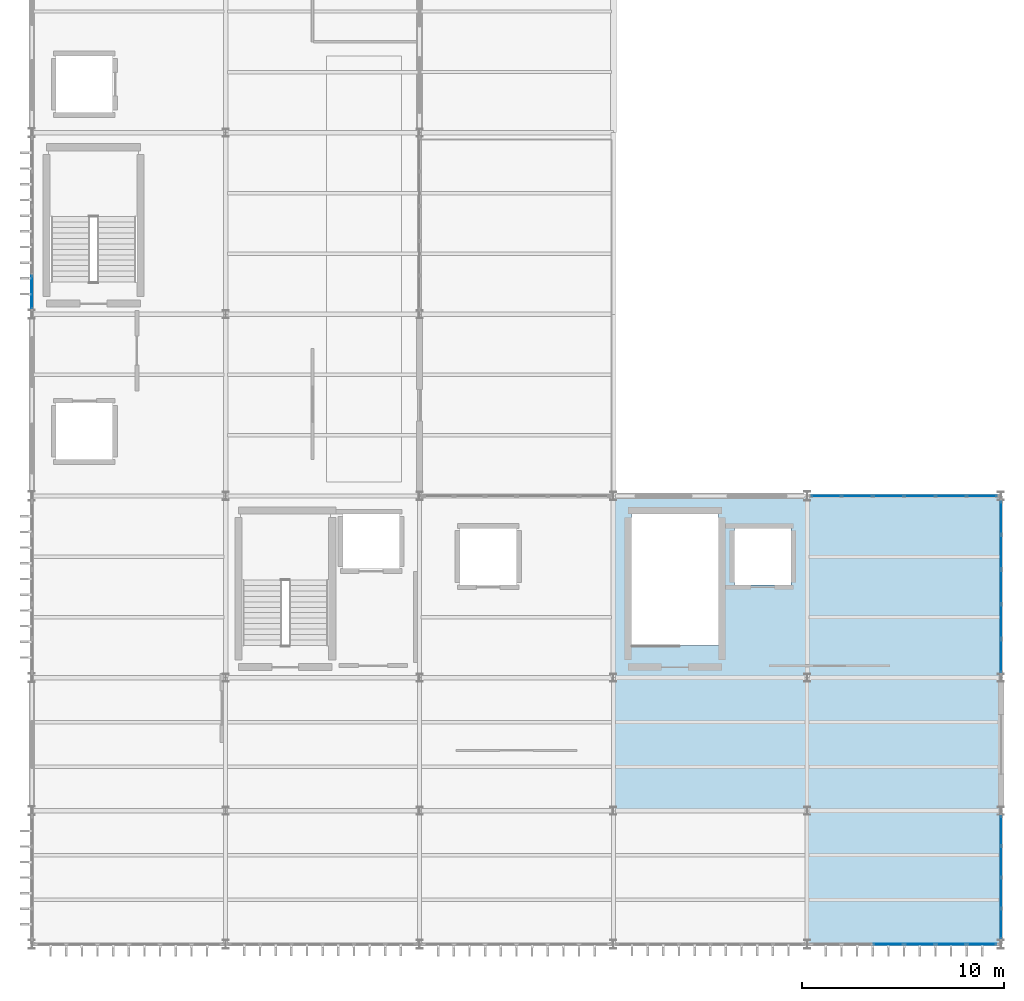
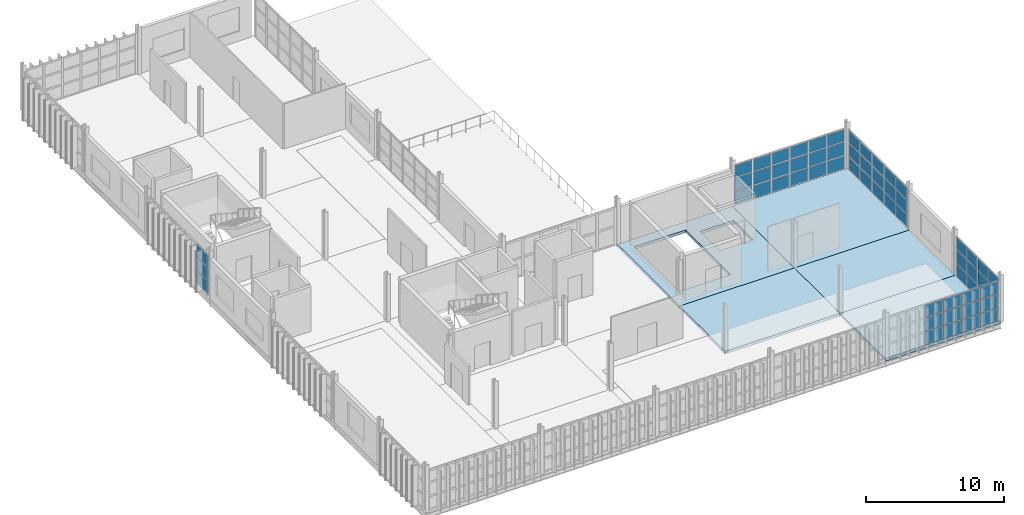
# One storey, part 16 of 38: 60 plates, 5 slabs, 5 elements without a shape of their own.
"""IFC4 building model written with IfcOpenShell, lengths in metres."""

from ifc_helpers import new_model, si_unit, direction, frame, origin, origin_2d, place, context, subcontext, project, spatial, polyline, rectangle, outline, extrude, material, layer, layer_set, type_object, element, aggregate, save


model = new_model("IFC4")

# Units and contexts
model_context = context("Model", 3, precision=1e-05, world=origin(), true_north=direction((0.0, 1.0)))
body_context = subcontext(model_context, "Body", "Model", "MODEL_VIEW")
ifc_project = project(units=[si_unit("LENGTHUNIT", "METRE"), si_unit("AREAUNIT", "SQUARE_METRE"), si_unit("VOLUMEUNIT", "CUBIC_METRE"), si_unit("PLANEANGLEUNIT", "RADIAN"), si_unit("MASSUNIT", "GRAM", prefix="KILO")], contexts=[model_context])

# Site, building, storey
site_placement = place(None, origin())
site = spatial("IfcSite", under=ifc_project, at=site_placement, CompositionType="ELEMENT")
building_placement = place(site_placement, origin())
building = spatial("IfcBuilding", under=site, at=building_placement, Name="Zarnetskaya Central Station", CompositionType="ELEMENT")
storey_placement = place(building_placement, frame((0.0, 0.0, 18.60009765625)))
storey = spatial("IfcBuildingStorey", under=building, at=storey_placement, Name="L04", CompositionType="ELEMENT", Elevation=18.60009765625)

# Curtain wall, plates
ifc_material_1 = material(Name="Low-E insulated glass", Category="glass")
ifc_layer_1 = layer(ifc_material_1, 0.16796875, Name="Low-E insulated glass", Category="glass")
ifc_layer_set_1 = layer_set([ifc_layer_1], Name="Low-E insulated glass")
curtain_wall_type_1 = type_object("IfcCurtainWallType", Name="CW-SYS-08", PredefinedType="USERDEFINED", material=ifc_layer_set_1)
curtain_wall_1_placement = place(storey_placement, origin())
curtain_wall_1 = element("IfcCurtainWall", 1, at=curtain_wall_1_placement, inside=storey, type_object=curtain_wall_type_1, Name="Curtain wall CW-L04-055", ObjectType="CURTAIN WALL", PredefinedType="USERDEFINED")
ifc_layer_2 = layer(ifc_material_1, 0.028076171875, Name="Low-E insulated glass", Category="glass")
ifc_layer_set_2 = layer_set([ifc_layer_2], Name="Low-E insulated glass")
plate_type_1 = type_object("IfcPlateType", Name="CW-PAN-28", PredefinedType="CURTAIN_PANEL", material=ifc_layer_set_2)
plate_1_placement = place(storey_placement, frame((39.342529296875, 22.199951171875, 0.06982421875), z_axis=(0.0, 0.0, 1.0), x_axis=(1.0, 0.0, 0.0)))
plate_1 = element("IfcPlate", 2, at=plate_1_placement, type_object=plate_type_1, Name="CW-16 panel 1.1", PredefinedType="CURTAIN_PANEL", context=body_context, shape_type="SweptSolid", body=[
    extrude(rectangle(XDim=1.445068359375, YDim=0.028076171875, at=origin_2d()), origin(), (0.0, 0.0, 1.0), 1.118896484375),
])
plate_2_placement = place(storey_placement, frame((39.342529296875, 22.199951171875, 1.2587890625), z_axis=(0.0, 0.0, 1.0), x_axis=(1.0, 0.0, 0.0)))
plate_2 = element("IfcPlate", 3, at=plate_2_placement, type_object=plate_type_1, Name="CW-16 panel 1.2", PredefinedType="CURTAIN_PANEL", context=body_context, shape_type="SweptSolid", body=[
    extrude(rectangle(XDim=1.445068359375, YDim=0.028076171875, at=origin_2d()), origin(), (0.0, 0.0, 1.0), 1.154052734375),
])
plate_3_placement = place(storey_placement, frame((39.342529296875, 22.199951171875, 2.48291015625), z_axis=(0.0, 0.0, 1.0), x_axis=(1.0, 0.0, 0.0)))
plate_3 = element("IfcPlate", 4, at=plate_3_placement, type_object=plate_type_1, Name="CW-16 panel 1.3", PredefinedType="CURTAIN_PANEL", context=body_context, shape_type="SweptSolid", body=[
    extrude(rectangle(XDim=1.445068359375, YDim=0.028076171875, at=origin_2d()), origin(), (0.0, 0.0, 1.0), 1.047119140625),
])
plate_4_placement = place(storey_placement, frame((40.875, 22.199951171875, 0.06982421875), z_axis=(0.0, 0.0, 1.0), x_axis=(1.0, 0.0, 0.0)))
plate_4 = element("IfcPlate", 5, at=plate_4_placement, type_object=plate_type_1, Name="CW-16 panel 2.1", PredefinedType="CURTAIN_PANEL", context=body_context, shape_type="SweptSolid", body=[
    extrude(rectangle(XDim=1.47998046875, YDim=0.028076171875, at=origin_2d()), origin(), (0.0, 0.0, 1.0), 1.118896484375),
])
plate_5_placement = place(storey_placement, frame((40.875, 22.199951171875, 1.2587890625), z_axis=(0.0, 0.0, 1.0), x_axis=(1.0, 0.0, 0.0)))
plate_5 = element("IfcPlate", 6, at=plate_5_placement, type_object=plate_type_1, Name="CW-16 panel 2.2", PredefinedType="CURTAIN_PANEL", context=body_context, shape_type="SweptSolid", body=[
    extrude(rectangle(XDim=1.47998046875, YDim=0.028076171875, at=origin_2d()), origin(), (0.0, 0.0, 1.0), 1.154052734375),
])
plate_6_placement = place(storey_placement, frame((40.875, 22.199951171875, 2.48291015625), z_axis=(0.0, 0.0, 1.0), x_axis=(1.0, 0.0, 0.0)))
plate_6 = element("IfcPlate", 7, at=plate_6_placement, type_object=plate_type_1, Name="CW-16 panel 2.3", PredefinedType="CURTAIN_PANEL", context=body_context, shape_type="SweptSolid", body=[
    extrude(rectangle(XDim=1.47998046875, YDim=0.028076171875, at=origin_2d()), origin(), (0.0, 0.0, 1.0), 1.047119140625),
])
plate_7_placement = place(storey_placement, frame((42.425048828125, 22.199951171875, 0.06982421875), z_axis=(0.0, 0.0, 1.0), x_axis=(1.0, 0.0, 0.0)))
plate_7 = element("IfcPlate", 8, at=plate_7_placement, type_object=plate_type_1, Name="CW-16 panel 3.1", PredefinedType="CURTAIN_PANEL", context=body_context, shape_type="SweptSolid", body=[
    extrude(rectangle(XDim=1.47998046875, YDim=0.028076171875, at=origin_2d()), origin(), (0.0, 0.0, 1.0), 1.118896484375),
])
plate_8_placement = place(storey_placement, frame((42.425048828125, 22.199951171875, 1.2587890625), z_axis=(0.0, 0.0, 1.0), x_axis=(1.0, 0.0, 0.0)))
plate_8 = element("IfcPlate", 9, at=plate_8_placement, type_object=plate_type_1, Name="CW-16 panel 3.2", PredefinedType="CURTAIN_PANEL", context=body_context, shape_type="SweptSolid", body=[
    extrude(rectangle(XDim=1.47998046875, YDim=0.028076171875, at=origin_2d()), origin(), (0.0, 0.0, 1.0), 1.154052734375),
])
plate_9_placement = place(storey_placement, frame((42.425048828125, 22.199951171875, 2.48291015625), z_axis=(0.0, 0.0, 1.0), x_axis=(1.0, 0.0, 0.0)))
plate_9 = element("IfcPlate", 10, at=plate_9_placement, type_object=plate_type_1, Name="CW-16 panel 3.3", PredefinedType="CURTAIN_PANEL", context=body_context, shape_type="SweptSolid", body=[
    extrude(rectangle(XDim=1.47998046875, YDim=0.028076171875, at=origin_2d()), origin(), (0.0, 0.0, 1.0), 1.047119140625),
])
plate_10_placement = place(storey_placement, frame((43.97509765625, 22.199951171875, 0.06982421875), z_axis=(0.0, 0.0, 1.0), x_axis=(1.0, 0.0, 0.0)))
plate_10 = element("IfcPlate", 11, at=plate_10_placement, type_object=plate_type_1, Name="CW-16 panel 4.1", PredefinedType="CURTAIN_PANEL", context=body_context, shape_type="SweptSolid", body=[
    extrude(rectangle(XDim=1.47998046875, YDim=0.028076171875, at=origin_2d()), origin(), (0.0, 0.0, 1.0), 1.118896484375),
])
plate_11_placement = place(storey_placement, frame((43.97509765625, 22.199951171875, 1.2587890625), z_axis=(0.0, 0.0, 1.0), x_axis=(1.0, 0.0, 0.0)))
plate_11 = element("IfcPlate", 12, at=plate_11_placement, type_object=plate_type_1, Name="CW-16 panel 4.2", PredefinedType="CURTAIN_PANEL", context=body_context, shape_type="SweptSolid", body=[
    extrude(rectangle(XDim=1.47998046875, YDim=0.028076171875, at=origin_2d()), origin(), (0.0, 0.0, 1.0), 1.154052734375),
])
plate_12_placement = place(storey_placement, frame((43.97509765625, 22.199951171875, 2.48291015625), z_axis=(0.0, 0.0, 1.0), x_axis=(1.0, 0.0, 0.0)))
plate_12 = element("IfcPlate", 13, at=plate_12_placement, type_object=plate_type_1, Name="CW-16 panel 4.3", PredefinedType="CURTAIN_PANEL", context=body_context, shape_type="SweptSolid", body=[
    extrude(rectangle(XDim=1.47998046875, YDim=0.028076171875, at=origin_2d()), origin(), (0.0, 0.0, 1.0), 1.047119140625),
])
plate_13_placement = place(storey_placement, frame((45.52490234375, 22.199951171875, 0.06982421875), z_axis=(0.0, 0.0, 1.0), x_axis=(1.0, 0.0, 0.0)))
plate_13 = element("IfcPlate", 14, at=plate_13_placement, type_object=plate_type_1, Name="CW-16 panel 5.1", PredefinedType="CURTAIN_PANEL", context=body_context, shape_type="SweptSolid", body=[
    extrude(rectangle(XDim=1.47998046875, YDim=0.028076171875, at=origin_2d()), origin(), (0.0, 0.0, 1.0), 1.118896484375),
])
plate_14_placement = place(storey_placement, frame((45.52490234375, 22.199951171875, 1.2587890625), z_axis=(0.0, 0.0, 1.0), x_axis=(1.0, 0.0, 0.0)))
plate_14 = element("IfcPlate", 15, at=plate_14_placement, type_object=plate_type_1, Name="CW-16 panel 5.2", PredefinedType="CURTAIN_PANEL", context=body_context, shape_type="SweptSolid", body=[
    extrude(rectangle(XDim=1.47998046875, YDim=0.028076171875, at=origin_2d()), origin(), (0.0, 0.0, 1.0), 1.154052734375),
])
plate_15_placement = place(storey_placement, frame((45.52490234375, 22.199951171875, 2.48291015625), z_axis=(0.0, 0.0, 1.0), x_axis=(1.0, 0.0, 0.0)))
plate_15 = element("IfcPlate", 16, at=plate_15_placement, type_object=plate_type_1, Name="CW-16 panel 5.3", PredefinedType="CURTAIN_PANEL", context=body_context, shape_type="SweptSolid", body=[
    extrude(rectangle(XDim=1.47998046875, YDim=0.028076171875, at=origin_2d()), origin(), (0.0, 0.0, 1.0), 1.047119140625),
])
plate_16_placement = place(storey_placement, frame((47.0576171875, 22.199951171875, 0.06982421875), z_axis=(0.0, 0.0, 1.0), x_axis=(1.0, 0.0, 0.0)))
plate_16 = element("IfcPlate", 17, at=plate_16_placement, type_object=plate_type_1, Name="CW-16 panel 6.1", PredefinedType="CURTAIN_PANEL", context=body_context, shape_type="SweptSolid", body=[
    extrude(rectangle(XDim=1.445068359375, YDim=0.028076171875, at=origin_2d()), origin(), (0.0, 0.0, 1.0), 1.118896484375),
])
plate_17_placement = place(storey_placement, frame((47.0576171875, 22.199951171875, 1.2587890625), z_axis=(0.0, 0.0, 1.0), x_axis=(1.0, 0.0, 0.0)))
plate_17 = element("IfcPlate", 18, at=plate_17_placement, type_object=plate_type_1, Name="CW-16 panel 6.2", PredefinedType="CURTAIN_PANEL", context=body_context, shape_type="SweptSolid", body=[
    extrude(rectangle(XDim=1.445068359375, YDim=0.028076171875, at=origin_2d()), origin(), (0.0, 0.0, 1.0), 1.154052734375),
])
plate_18_placement = place(storey_placement, frame((47.0576171875, 22.199951171875, 2.48291015625), z_axis=(0.0, 0.0, 1.0), x_axis=(1.0, 0.0, 0.0)))
plate_18 = element("IfcPlate", 19, at=plate_18_placement, type_object=plate_type_1, Name="CW-16 panel 6.3", PredefinedType="CURTAIN_PANEL", context=body_context, shape_type="SweptSolid", body=[
    extrude(rectangle(XDim=1.445068359375, YDim=0.028076171875, at=origin_2d()), origin(), (0.0, 0.0, 1.0), 1.047119140625),
])
aggregate(curtain_wall_1, [plate_1, plate_2, plate_3, plate_4, plate_5, plate_6, plate_7, plate_8, plate_9, plate_10, plate_11, plate_12, plate_13, plate_14, plate_15, plate_16, plate_17, plate_18])

ifc_layer_3 = layer(ifc_material_1, 0.159912109375, Name="Low-E insulated glass", Category="glass")
ifc_layer_set_3 = layer_set([ifc_layer_3], Name="Low-E insulated glass")
curtain_wall_type_2 = type_object("IfcCurtainWallType", Name="CW-SYS-06", PredefinedType="USERDEFINED", material=ifc_layer_set_3)
curtain_wall_2_placement = place(storey_placement, origin())
curtain_wall_2 = element("IfcCurtainWall", 20, at=curtain_wall_2_placement, inside=storey, type_object=curtain_wall_type_2, Name="Curtain wall CW-L04-056", ObjectType="CURTAIN WALL", PredefinedType="USERDEFINED")
ifc_layer_4 = layer(ifc_material_1, 0.031982421875, Name="Low-E insulated glass", Category="glass")
ifc_layer_set_4 = layer_set([ifc_layer_4], Name="Low-E insulated glass")
plate_type_2 = type_object("IfcPlateType", Name="CW-PAN-32", PredefinedType="CURTAIN_PANEL", material=ifc_layer_set_4)
plate_19_placement = place(storey_placement, frame((48.0, 21.1201171875, 0.079833984375), z_axis=(0.0, 0.0, 1.0), x_axis=(0.0, -1.0, 0.0)))
plate_19 = element("IfcPlate", 21, at=plate_19_placement, type_object=plate_type_2, Name="CW-02 panel 1.1", PredefinedType="CURTAIN_PANEL", context=body_context, shape_type="SweptSolid", body=[
    extrude(rectangle(XDim=1.60009765625, YDim=0.031982421875, at=origin_2d()), origin(), (0.0, 0.0, 1.0), 1.10400390625),
])
plate_20_placement = place(storey_placement, frame((48.0, 21.1201171875, 1.263916015625), z_axis=(0.0, 0.0, 1.0), x_axis=(0.0, -1.0, 0.0)))
plate_20 = element("IfcPlate", 22, at=plate_20_placement, type_object=plate_type_2, Name="CW-02 panel 1.2", PredefinedType="CURTAIN_PANEL", context=body_context, shape_type="SweptSolid", body=[
    extrude(rectangle(XDim=1.60009765625, YDim=0.031982421875, at=origin_2d()), origin(), (0.0, 0.0, 1.0), 1.14404296875),
])
plate_21_placement = place(storey_placement, frame((48.0, 21.1201171875, 2.48779296875), z_axis=(0.0, 0.0, 1.0), x_axis=(0.0, -1.0, 0.0)))
plate_21 = element("IfcPlate", 23, at=plate_21_placement, type_object=plate_type_2, Name="CW-02 panel 1.3", PredefinedType="CURTAIN_PANEL", context=body_context, shape_type="SweptSolid", body=[
    extrude(rectangle(XDim=1.60009765625, YDim=0.031982421875, at=origin_2d()), origin(), (0.0, 0.0, 1.0), 1.031982421875),
])
plate_22_placement = place(storey_placement, frame((48.0, 19.419921875, 0.079833984375), z_axis=(0.0, 0.0, 1.0), x_axis=(0.0, -1.0, 0.0)))
plate_22 = element("IfcPlate", 24, at=plate_22_placement, type_object=plate_type_2, Name="CW-02 panel 2.1", PredefinedType="CURTAIN_PANEL", context=body_context, shape_type="SweptSolid", body=[
    extrude(rectangle(XDim=1.639892578125, YDim=0.031982421875, at=origin_2d()), origin(), (0.0, 0.0, 1.0), 1.10400390625),
])
plate_23_placement = place(storey_placement, frame((48.0, 19.419921875, 1.263916015625), z_axis=(0.0, 0.0, 1.0), x_axis=(0.0, -1.0, 0.0)))
plate_23 = element("IfcPlate", 25, at=plate_23_placement, type_object=plate_type_2, Name="CW-02 panel 2.2", PredefinedType="CURTAIN_PANEL", context=body_context, shape_type="SweptSolid", body=[
    extrude(rectangle(XDim=1.639892578125, YDim=0.031982421875, at=origin_2d()), origin(), (0.0, 0.0, 1.0), 1.14404296875),
])
plate_24_placement = place(storey_placement, frame((48.0, 19.419921875, 2.48779296875), z_axis=(0.0, 0.0, 1.0), x_axis=(0.0, -1.0, 0.0)))
plate_24 = element("IfcPlate", 26, at=plate_24_placement, type_object=plate_type_2, Name="CW-02 panel 2.3", PredefinedType="CURTAIN_PANEL", context=body_context, shape_type="SweptSolid", body=[
    extrude(rectangle(XDim=1.639892578125, YDim=0.031982421875, at=origin_2d()), origin(), (0.0, 0.0, 1.0), 1.031982421875),
])
plate_25_placement = place(storey_placement, frame((48.0, 17.699951171875, 0.079833984375), z_axis=(0.0, 0.0, 1.0), x_axis=(0.0, -1.0, 0.0)))
plate_25 = element("IfcPlate", 27, at=plate_25_placement, type_object=plate_type_2, Name="CW-02 panel 3.1", PredefinedType="CURTAIN_PANEL", context=body_context, shape_type="SweptSolid", body=[
    extrude(rectangle(XDim=1.639892578125, YDim=0.031982421875, at=origin_2d()), origin(), (0.0, 0.0, 1.0), 1.10400390625),
])
plate_26_placement = place(storey_placement, frame((48.0, 17.699951171875, 1.263916015625), z_axis=(0.0, 0.0, 1.0), x_axis=(0.0, -1.0, 0.0)))
plate_26 = element("IfcPlate", 28, at=plate_26_placement, type_object=plate_type_2, Name="CW-02 panel 3.2", PredefinedType="CURTAIN_PANEL", context=body_context, shape_type="SweptSolid", body=[
    extrude(rectangle(XDim=1.639892578125, YDim=0.031982421875, at=origin_2d()), origin(), (0.0, 0.0, 1.0), 1.14404296875),
])
plate_27_placement = place(storey_placement, frame((48.0, 17.699951171875, 2.48779296875), z_axis=(0.0, 0.0, 1.0), x_axis=(0.0, -1.0, 0.0)))
plate_27 = element("IfcPlate", 29, at=plate_27_placement, type_object=plate_type_2, Name="CW-02 panel 3.3", PredefinedType="CURTAIN_PANEL", context=body_context, shape_type="SweptSolid", body=[
    extrude(rectangle(XDim=1.639892578125, YDim=0.031982421875, at=origin_2d()), origin(), (0.0, 0.0, 1.0), 1.031982421875),
])
plate_28_placement = place(storey_placement, frame((48.0, 15.97998046875, 0.079833984375), z_axis=(0.0, 0.0, 1.0), x_axis=(0.0, -1.0, 0.0)))
plate_28 = element("IfcPlate", 30, at=plate_28_placement, type_object=plate_type_2, Name="CW-02 panel 4.1", PredefinedType="CURTAIN_PANEL", context=body_context, shape_type="SweptSolid", body=[
    extrude(rectangle(XDim=1.639892578125, YDim=0.031982421875, at=origin_2d()), origin(), (0.0, 0.0, 1.0), 1.10400390625),
])
plate_29_placement = place(storey_placement, frame((48.0, 15.97998046875, 1.263916015625), z_axis=(0.0, 0.0, 1.0), x_axis=(0.0, -1.0, 0.0)))
plate_29 = element("IfcPlate", 31, at=plate_29_placement, type_object=plate_type_2, Name="CW-02 panel 4.2", PredefinedType="CURTAIN_PANEL", context=body_context, shape_type="SweptSolid", body=[
    extrude(rectangle(XDim=1.639892578125, YDim=0.031982421875, at=origin_2d()), origin(), (0.0, 0.0, 1.0), 1.14404296875),
])
plate_30_placement = place(storey_placement, frame((48.0, 15.97998046875, 2.48779296875), z_axis=(0.0, 0.0, 1.0), x_axis=(0.0, -1.0, 0.0)))
plate_30 = element("IfcPlate", 32, at=plate_30_placement, type_object=plate_type_2, Name="CW-02 panel 4.3", PredefinedType="CURTAIN_PANEL", context=body_context, shape_type="SweptSolid", body=[
    extrude(rectangle(XDim=1.639892578125, YDim=0.031982421875, at=origin_2d()), origin(), (0.0, 0.0, 1.0), 1.031982421875),
])
plate_31_placement = place(storey_placement, frame((48.0, 14.280029296875, 0.079833984375), z_axis=(0.0, 0.0, 1.0), x_axis=(0.0, -1.0, 0.0)))
plate_31 = element("IfcPlate", 33, at=plate_31_placement, type_object=plate_type_2, Name="CW-02 panel 5.1", PredefinedType="CURTAIN_PANEL", context=body_context, shape_type="SweptSolid", body=[
    extrude(rectangle(XDim=1.60009765625, YDim=0.031982421875, at=origin_2d()), origin(), (0.0, 0.0, 1.0), 1.10400390625),
])
plate_32_placement = place(storey_placement, frame((48.0, 14.280029296875, 1.263916015625), z_axis=(0.0, 0.0, 1.0), x_axis=(0.0, -1.0, 0.0)))
plate_32 = element("IfcPlate", 34, at=plate_32_placement, type_object=plate_type_2, Name="CW-02 panel 5.2", PredefinedType="CURTAIN_PANEL", context=body_context, shape_type="SweptSolid", body=[
    extrude(rectangle(XDim=1.60009765625, YDim=0.031982421875, at=origin_2d()), origin(), (0.0, 0.0, 1.0), 1.14404296875),
])
plate_33_placement = place(storey_placement, frame((48.0, 14.280029296875, 2.48779296875), z_axis=(0.0, 0.0, 1.0), x_axis=(0.0, -1.0, 0.0)))
plate_33 = element("IfcPlate", 35, at=plate_33_placement, type_object=plate_type_2, Name="CW-02 panel 5.3", PredefinedType="CURTAIN_PANEL", context=body_context, shape_type="SweptSolid", body=[
    extrude(rectangle(XDim=1.60009765625, YDim=0.031982421875, at=origin_2d()), origin(), (0.0, 0.0, 1.0), 1.031982421875),
])
aggregate(curtain_wall_2, [plate_19, plate_20, plate_21, plate_22, plate_23, plate_24, plate_25, plate_26, plate_27, plate_28, plate_29, plate_30, plate_31, plate_32, plate_33])

curtain_wall_3_placement = place(storey_placement, origin())
curtain_wall_3 = element("IfcCurtainWall", 36, at=curtain_wall_3_placement, inside=storey, type_object=curtain_wall_type_1, Name="Curtain wall CW-L04-057", ObjectType="CURTAIN WALL", PredefinedType="USERDEFINED")
ifc_layer_5 = layer(ifc_material_1, 0.035888671875, Name="Low-E insulated glass", Category="glass")
ifc_layer_set_5 = layer_set([ifc_layer_5], Name="Low-E insulated glass")
plate_type_3 = type_object("IfcPlateType", Name="CW-PAN-36", PredefinedType="CURTAIN_PANEL", material=ifc_layer_set_5)
plate_34_placement = place(storey_placement, frame((48.0, 5.610595703125, 0.06982421875), z_axis=(0.0, 0.0, 1.0), x_axis=(0.0, -1.0, 0.0)))
plate_34 = element("IfcPlate", 37, at=plate_34_placement, type_object=plate_type_3, Name="CW-16 panel 1.1", PredefinedType="CURTAIN_PANEL", context=body_context, shape_type="SweptSolid", body=[
    extrude(rectangle(XDim=1.438720703125, YDim=0.035888671875, at=origin_2d()), origin(), (0.0, 0.0, 1.0), 1.118896484375),
])
plate_35_placement = place(storey_placement, frame((48.0, 5.610595703125, 1.2587890625), z_axis=(0.0, 0.0, 1.0), x_axis=(0.0, -1.0, 0.0)))
plate_35 = element("IfcPlate", 38, at=plate_35_placement, type_object=plate_type_3, Name="CW-16 panel 1.2", PredefinedType="CURTAIN_PANEL", context=body_context, shape_type="SweptSolid", body=[
    extrude(rectangle(XDim=1.438720703125, YDim=0.035888671875, at=origin_2d()), origin(), (0.0, 0.0, 1.0), 1.154052734375),
])
plate_36_placement = place(storey_placement, frame((48.0, 5.610595703125, 2.48291015625), z_axis=(0.0, 0.0, 1.0), x_axis=(0.0, -1.0, 0.0)))
plate_36 = element("IfcPlate", 39, at=plate_36_placement, type_object=plate_type_3, Name="CW-16 panel 1.3", PredefinedType="CURTAIN_PANEL", context=body_context, shape_type="SweptSolid", body=[
    extrude(rectangle(XDim=1.438720703125, YDim=0.035888671875, at=origin_2d()), origin(), (0.0, 0.0, 1.0), 1.047119140625),
])
plate_37_placement = place(storey_placement, frame((48.0, 4.08447265625, 0.06982421875), z_axis=(0.0, 0.0, 1.0), x_axis=(0.0, -1.0, 0.0)))
plate_37 = element("IfcPlate", 40, at=plate_37_placement, type_object=plate_type_3, Name="CW-16 panel 2.1", PredefinedType="CURTAIN_PANEL", context=body_context, shape_type="SweptSolid", body=[
    extrude(rectangle(XDim=1.4736328125, YDim=0.035888671875, at=origin_2d()), origin(), (0.0, 0.0, 1.0), 1.118896484375),
])
plate_38_placement = place(storey_placement, frame((48.0, 4.08447265625, 1.2587890625), z_axis=(0.0, 0.0, 1.0), x_axis=(0.0, -1.0, 0.0)))
plate_38 = element("IfcPlate", 41, at=plate_38_placement, type_object=plate_type_3, Name="CW-16 panel 2.2", PredefinedType="CURTAIN_PANEL", context=body_context, shape_type="SweptSolid", body=[
    extrude(rectangle(XDim=1.4736328125, YDim=0.035888671875, at=origin_2d()), origin(), (0.0, 0.0, 1.0), 1.154052734375),
])
plate_39_placement = place(storey_placement, frame((48.0, 4.08447265625, 2.48291015625), z_axis=(0.0, 0.0, 1.0), x_axis=(0.0, -1.0, 0.0)))
plate_39 = element("IfcPlate", 42, at=plate_39_placement, type_object=plate_type_3, Name="CW-16 panel 2.3", PredefinedType="CURTAIN_PANEL", context=body_context, shape_type="SweptSolid", body=[
    extrude(rectangle(XDim=1.4736328125, YDim=0.035888671875, at=origin_2d()), origin(), (0.0, 0.0, 1.0), 1.047119140625),
])
plate_40_placement = place(storey_placement, frame((48.0, 2.54052734375, 0.06982421875), z_axis=(0.0, 0.0, 1.0), x_axis=(0.0, -1.0, 0.0)))
plate_40 = element("IfcPlate", 43, at=plate_40_placement, type_object=plate_type_3, Name="CW-16 panel 3.1", PredefinedType="CURTAIN_PANEL", context=body_context, shape_type="SweptSolid", body=[
    extrude(rectangle(XDim=1.4736328125, YDim=0.035888671875, at=origin_2d()), origin(), (0.0, 0.0, 1.0), 1.118896484375),
])
plate_41_placement = place(storey_placement, frame((48.0, 2.54052734375, 1.2587890625), z_axis=(0.0, 0.0, 1.0), x_axis=(0.0, -1.0, 0.0)))
plate_41 = element("IfcPlate", 44, at=plate_41_placement, type_object=plate_type_3, Name="CW-16 panel 3.2", PredefinedType="CURTAIN_PANEL", context=body_context, shape_type="SweptSolid", body=[
    extrude(rectangle(XDim=1.4736328125, YDim=0.035888671875, at=origin_2d()), origin(), (0.0, 0.0, 1.0), 1.154052734375),
])
plate_42_placement = place(storey_placement, frame((48.0, 2.54052734375, 2.48291015625), z_axis=(0.0, 0.0, 1.0), x_axis=(0.0, -1.0, 0.0)))
plate_42 = element("IfcPlate", 45, at=plate_42_placement, type_object=plate_type_3, Name="CW-16 panel 3.3", PredefinedType="CURTAIN_PANEL", context=body_context, shape_type="SweptSolid", body=[
    extrude(rectangle(XDim=1.4736328125, YDim=0.035888671875, at=origin_2d()), origin(), (0.0, 0.0, 1.0), 1.047119140625),
])
plate_43_placement = place(storey_placement, frame((48.0, 1.014404296875, 0.06982421875), z_axis=(0.0, 0.0, 1.0), x_axis=(0.0, -1.0, 0.0)))
plate_43 = element("IfcPlate", 46, at=plate_43_placement, type_object=plate_type_3, Name="CW-16 panel 4.1", PredefinedType="CURTAIN_PANEL", context=body_context, shape_type="SweptSolid", body=[
    extrude(rectangle(XDim=1.438720703125, YDim=0.035888671875, at=origin_2d()), origin(), (0.0, 0.0, 1.0), 1.118896484375),
])
plate_44_placement = place(storey_placement, frame((48.0, 1.014404296875, 1.2587890625), z_axis=(0.0, 0.0, 1.0), x_axis=(0.0, -1.0, 0.0)))
plate_44 = element("IfcPlate", 47, at=plate_44_placement, type_object=plate_type_3, Name="CW-16 panel 4.2", PredefinedType="CURTAIN_PANEL", context=body_context, shape_type="SweptSolid", body=[
    extrude(rectangle(XDim=1.438720703125, YDim=0.035888671875, at=origin_2d()), origin(), (0.0, 0.0, 1.0), 1.154052734375),
])
plate_45_placement = place(storey_placement, frame((48.0, 1.014404296875, 2.48291015625), z_axis=(0.0, 0.0, 1.0), x_axis=(0.0, -1.0, 0.0)))
plate_45 = element("IfcPlate", 48, at=plate_45_placement, type_object=plate_type_3, Name="CW-16 panel 4.3", PredefinedType="CURTAIN_PANEL", context=body_context, shape_type="SweptSolid", body=[
    extrude(rectangle(XDim=1.438720703125, YDim=0.035888671875, at=origin_2d()), origin(), (0.0, 0.0, 1.0), 1.047119140625),
])
aggregate(curtain_wall_3, [plate_34, plate_35, plate_36, plate_37, plate_38, plate_39, plate_40, plate_41, plate_42, plate_43, plate_44, plate_45])

curtain_wall_4_placement = place(storey_placement, origin())
curtain_wall_4 = element("IfcCurtainWall", 49, at=curtain_wall_4_placement, inside=storey, type_object=curtain_wall_type_2, Name="Curtain wall CW-L04-058", ObjectType="CURTAIN WALL", PredefinedType="USERDEFINED")
ifc_layer_6 = layer(ifc_material_1, 0.0400390625, Name="Low-E insulated glass", Category="glass")
ifc_layer_set_6 = layer_set([ifc_layer_6], Name="Low-E insulated glass")
plate_type_4 = type_object("IfcPlateType", Name="CW-PAN-40", PredefinedType="CURTAIN_PANEL", material=ifc_layer_set_6)
plate_46_placement = place(storey_placement, frame((47.054931640625, 0.0, 0.080078125), z_axis=(0.0, 0.0, 1.0), x_axis=(-1.0, 0.0, 0.0)))
plate_46 = element("IfcPlate", 50, at=plate_46_placement, type_object=plate_type_4, Name="CW-02 panel 1.1", PredefinedType="CURTAIN_PANEL", context=body_context, shape_type="SweptSolid", body=[
    extrude(rectangle(XDim=1.429931640625, YDim=0.0400390625, at=origin_2d()), origin(), (0.0, 0.0, 1.0), 1.117919921875),
])
plate_47_placement = place(storey_placement, frame((47.054931640625, 0.0, 1.27783203125), z_axis=(0.0, 0.0, 1.0), x_axis=(-1.0, 0.0, 0.0)))
plate_47 = element("IfcPlate", 51, at=plate_47_placement, type_object=plate_type_4, Name="CW-02 panel 1.2", PredefinedType="CURTAIN_PANEL", context=body_context, shape_type="SweptSolid", body=[
    extrude(rectangle(XDim=1.429931640625, YDim=0.0400390625, at=origin_2d()), origin(), (0.0, 0.0, 1.0), 1.156982421875),
])
plate_48_placement = place(storey_placement, frame((47.054931640625, 0.0, 2.514892578125), z_axis=(0.0, 0.0, 1.0), x_axis=(-1.0, 0.0, 0.0)))
plate_48 = element("IfcPlate", 52, at=plate_48_placement, type_object=plate_type_4, Name="CW-02 panel 1.3", PredefinedType="CURTAIN_PANEL", context=body_context, shape_type="SweptSolid", body=[
    extrude(rectangle(XDim=1.429931640625, YDim=0.0400390625, at=origin_2d()), origin(), (0.0, 0.0, 1.0), 1.044921875),
])
plate_49_placement = place(storey_placement, frame((45.52490234375, 0.0, 0.080078125), z_axis=(0.0, 0.0, 1.0), x_axis=(-1.0, 0.0, 0.0)))
plate_49 = element("IfcPlate", 53, at=plate_49_placement, type_object=plate_type_4, Name="CW-02 panel 2.1", PredefinedType="CURTAIN_PANEL", context=body_context, shape_type="SweptSolid", body=[
    extrude(rectangle(XDim=1.469970703125, YDim=0.0400390625, at=origin_2d()), origin(), (0.0, 0.0, 1.0), 1.117919921875),
])
plate_50_placement = place(storey_placement, frame((45.52490234375, 0.0, 1.27783203125), z_axis=(0.0, 0.0, 1.0), x_axis=(-1.0, 0.0, 0.0)))
plate_50 = element("IfcPlate", 54, at=plate_50_placement, type_object=plate_type_4, Name="CW-02 panel 2.2", PredefinedType="CURTAIN_PANEL", context=body_context, shape_type="SweptSolid", body=[
    extrude(rectangle(XDim=1.469970703125, YDim=0.0400390625, at=origin_2d()), origin(), (0.0, 0.0, 1.0), 1.156982421875),
])
plate_51_placement = place(storey_placement, frame((45.52490234375, 0.0, 2.514892578125), z_axis=(0.0, 0.0, 1.0), x_axis=(-1.0, 0.0, 0.0)))
plate_51 = element("IfcPlate", 55, at=plate_51_placement, type_object=plate_type_4, Name="CW-02 panel 2.3", PredefinedType="CURTAIN_PANEL", context=body_context, shape_type="SweptSolid", body=[
    extrude(rectangle(XDim=1.469970703125, YDim=0.0400390625, at=origin_2d()), origin(), (0.0, 0.0, 1.0), 1.044921875),
])
plate_52_placement = place(storey_placement, frame((43.97509765625, 0.0, 0.080078125), z_axis=(0.0, 0.0, 1.0), x_axis=(-1.0, 0.0, 0.0)))
plate_52 = element("IfcPlate", 56, at=plate_52_placement, type_object=plate_type_4, Name="CW-02 panel 3.1", PredefinedType="CURTAIN_PANEL", context=body_context, shape_type="SweptSolid", body=[
    extrude(rectangle(XDim=1.469970703125, YDim=0.0400390625, at=origin_2d()), origin(), (0.0, 0.0, 1.0), 1.117919921875),
])
plate_53_placement = place(storey_placement, frame((43.97509765625, 0.0, 1.27783203125), z_axis=(0.0, 0.0, 1.0), x_axis=(-1.0, 0.0, 0.0)))
plate_53 = element("IfcPlate", 57, at=plate_53_placement, type_object=plate_type_4, Name="CW-02 panel 3.2", PredefinedType="CURTAIN_PANEL", context=body_context, shape_type="SweptSolid", body=[
    extrude(rectangle(XDim=1.469970703125, YDim=0.0400390625, at=origin_2d()), origin(), (0.0, 0.0, 1.0), 1.156982421875),
])
plate_54_placement = place(storey_placement, frame((43.97509765625, 0.0, 2.514892578125), z_axis=(0.0, 0.0, 1.0), x_axis=(-1.0, 0.0, 0.0)))
plate_54 = element("IfcPlate", 58, at=plate_54_placement, type_object=plate_type_4, Name="CW-02 panel 3.3", PredefinedType="CURTAIN_PANEL", context=body_context, shape_type="SweptSolid", body=[
    extrude(rectangle(XDim=1.469970703125, YDim=0.0400390625, at=origin_2d()), origin(), (0.0, 0.0, 1.0), 1.044921875),
])
plate_55_placement = place(storey_placement, frame((42.425048828125, 0.0, 0.080078125), z_axis=(0.0, 0.0, 1.0), x_axis=(-1.0, 0.0, 0.0)))
plate_55 = element("IfcPlate", 59, at=plate_55_placement, type_object=plate_type_4, Name="CW-02 panel 4.1", PredefinedType="CURTAIN_PANEL", context=body_context, shape_type="SweptSolid", body=[
    extrude(rectangle(XDim=1.469970703125, YDim=0.0400390625, at=origin_2d()), origin(), (0.0, 0.0, 1.0), 1.117919921875),
])
plate_56_placement = place(storey_placement, frame((42.425048828125, 0.0, 1.27783203125), z_axis=(0.0, 0.0, 1.0), x_axis=(-1.0, 0.0, 0.0)))
plate_56 = element("IfcPlate", 60, at=plate_56_placement, type_object=plate_type_4, Name="CW-02 panel 4.2", PredefinedType="CURTAIN_PANEL", context=body_context, shape_type="SweptSolid", body=[
    extrude(rectangle(XDim=1.469970703125, YDim=0.0400390625, at=origin_2d()), origin(), (0.0, 0.0, 1.0), 1.156982421875),
])
plate_57_placement = place(storey_placement, frame((42.425048828125, 0.0, 2.514892578125), z_axis=(0.0, 0.0, 1.0), x_axis=(-1.0, 0.0, 0.0)))
plate_57 = element("IfcPlate", 61, at=plate_57_placement, type_object=plate_type_4, Name="CW-02 panel 4.3", PredefinedType="CURTAIN_PANEL", context=body_context, shape_type="SweptSolid", body=[
    extrude(rectangle(XDim=1.469970703125, YDim=0.0400390625, at=origin_2d()), origin(), (0.0, 0.0, 1.0), 1.044921875),
])
aggregate(curtain_wall_4, [plate_46, plate_47, plate_48, plate_49, plate_50, plate_51, plate_52, plate_53, plate_54, plate_55, plate_56, plate_57])

ifc_layer_7 = layer(ifc_material_1, 0.176025390625, Name="Low-E insulated glass", Category="glass")
ifc_layer_set_7 = layer_set([ifc_layer_7], Name="Low-E insulated glass")
curtain_wall_type_3 = type_object("IfcCurtainWallType", Name="CW-SYS-10", PredefinedType="USERDEFINED", material=ifc_layer_set_7)
curtain_wall_5_placement = place(storey_placement, origin())
curtain_wall_5 = element("IfcCurtainWall", 62, at=curtain_wall_5_placement, inside=storey, type_object=curtain_wall_type_3, Name="Curtain wall CW-L04-049", ObjectType="CURTAIN WALL", PredefinedType="USERDEFINED")
ifc_layer_8 = layer(ifc_material_1, 0.0439453125, Name="Low-E insulated glass", Category="glass")
ifc_layer_set_8 = layer_set([ifc_layer_8], Name="Low-E insulated glass")
plate_type_5 = type_object("IfcPlateType", Name="CW-PAN-44", PredefinedType="CURTAIN_PANEL", material=ifc_layer_set_8)
plate_58_placement = place(storey_placement, frame((0.0, 32.297607421875, 0.06982421875), z_axis=(0.0, 0.0, 1.0), x_axis=(0.0, 1.0, 0.0)))
plate_58 = element("IfcPlate", 63, at=plate_58_placement, type_object=plate_type_5, Name="CW-13 panel 1.1", PredefinedType="CURTAIN_PANEL", context=body_context, shape_type="SweptSolid", body=[
    extrude(rectangle(XDim=1.60498046875, YDim=0.0439453125, at=origin_2d()), origin(), (0.0, 0.0, 1.0), 1.10498046875),
])
plate_59_placement = place(storey_placement, frame((0.0, 32.297607421875, 1.244873046875), z_axis=(0.0, 0.0, 1.0), x_axis=(0.0, 1.0, 0.0)))
plate_59 = element("IfcPlate", 64, at=plate_59_placement, type_object=plate_type_5, Name="CW-13 panel 1.2", PredefinedType="CURTAIN_PANEL", context=body_context, shape_type="SweptSolid", body=[
    extrude(rectangle(XDim=1.60498046875, YDim=0.0439453125, at=origin_2d()), origin(), (0.0, 0.0, 1.0), 1.14111328125),
])
plate_60_placement = place(storey_placement, frame((0.0, 32.297607421875, 2.4560546875), z_axis=(0.0, 0.0, 1.0), x_axis=(0.0, 1.0, 0.0)))
plate_60 = element("IfcPlate", 65, at=plate_60_placement, type_object=plate_type_5, Name="CW-13 panel 1.3", PredefinedType="CURTAIN_PANEL", context=body_context, shape_type="SweptSolid", body=[
    extrude(rectangle(XDim=1.60498046875, YDim=0.0439453125, at=origin_2d()), origin(), (0.0, 0.0, 1.0), 1.033935546875),
])
aggregate(curtain_wall_5, [plate_58, plate_59, plate_60])

# Slabs
ifc_material_2 = material(Name="Concrete C30/37", Category="concrete")
ifc_layer_9 = layer(ifc_material_2, 0.239990234375, Name="Concrete C30/37", Category="concrete")
ifc_layer_set_9 = layer_set([ifc_layer_9], Name="Concrete C30/37")
slab_type = type_object("IfcSlabType", Name="SLAB-UPP-240", PredefinedType="FLOOR", material=ifc_layer_set_9)
slab_1_placement = place(storey_placement, frame((0.0, 0.0, -0.239990234375)))
element("IfcSlab", 66, at=slab_1_placement, inside=storey, type_object=slab_type, Name="L04 slab D-E/2-3", PredefinedType="FLOOR", context=body_context, shape_type="SweptSolid", body=[
    extrude(outline(polyline([(28.800048828125, 6.60009765625), (38.39990234375, 6.60009765625), (38.39990234375, 13.199951171875), (28.800048828125, 13.199951171875), (28.800048828125, 6.60009765625)])), origin(), (0.0, 0.0, 1.0), 0.239990234375),
])
slab_2_placement = place(storey_placement, frame((0.0, 0.0, -0.239990234375)))
element("IfcSlab", 67, at=slab_2_placement, inside=storey, type_object=slab_type, Name="L04 slab D-E/3-4", PredefinedType="FLOOR", context=body_context, shape_type="SweptSolid", body=[
    extrude(outline(polyline([(28.800048828125, 13.199951171875), (38.39990234375, 13.199951171875), (38.39990234375, 22.199951171875), (28.800048828125, 22.199951171875), (28.800048828125, 13.199951171875)]), holes=[polyline([(29.699951171875, 14.804931640625), (34.0, 14.804931640625), (34.0, 21.300048828125), (29.699951171875, 21.300048828125), (29.699951171875, 14.804931640625)]), polyline([(34.800048828125, 17.800048828125), (37.60009765625, 17.800048828125), (37.60009765625, 20.60009765625), (34.800048828125, 20.60009765625), (34.800048828125, 17.800048828125)])]), origin(), (0.0, 0.0, 1.0), 0.239990234375),
])
slab_3_placement = place(storey_placement, frame((0.0, 0.0, -0.239990234375)))
element("IfcSlab", 68, at=slab_3_placement, inside=storey, type_object=slab_type, Name="L04 slab E-F/1-2", PredefinedType="FLOOR", context=body_context, shape_type="SweptSolid", body=[
    extrude(outline(polyline([(38.39990234375, 0.0), (48.0, 0.0), (48.0, 6.60009765625), (38.39990234375, 6.60009765625), (38.39990234375, 0.0)])), origin(), (0.0, 0.0, 1.0), 0.239990234375),
])
slab_4_placement = place(storey_placement, frame((0.0, 0.0, -0.239990234375)))
element("IfcSlab", 69, at=slab_4_placement, inside=storey, type_object=slab_type, Name="L04 slab E-F/2-3", PredefinedType="FLOOR", context=body_context, shape_type="SweptSolid", body=[
    extrude(outline(polyline([(38.39990234375, 6.60009765625), (48.0, 6.60009765625), (48.0, 13.199951171875), (38.39990234375, 13.199951171875), (38.39990234375, 6.60009765625)])), origin(), (0.0, 0.0, 1.0), 0.239990234375),
])
slab_5_placement = place(storey_placement, frame((0.0, 0.0, -0.239990234375)))
element("IfcSlab", 70, at=slab_5_placement, inside=storey, type_object=slab_type, Name="L04 slab E-F/3-4", PredefinedType="FLOOR", context=body_context, shape_type="SweptSolid", body=[
    extrude(outline(polyline([(38.39990234375, 13.199951171875), (48.0, 13.199951171875), (48.0, 22.199951171875), (38.39990234375, 22.199951171875), (38.39990234375, 13.199951171875)])), origin(), (0.0, 0.0, 1.0), 0.239990234375),
])

save(model, "model.ifc")
